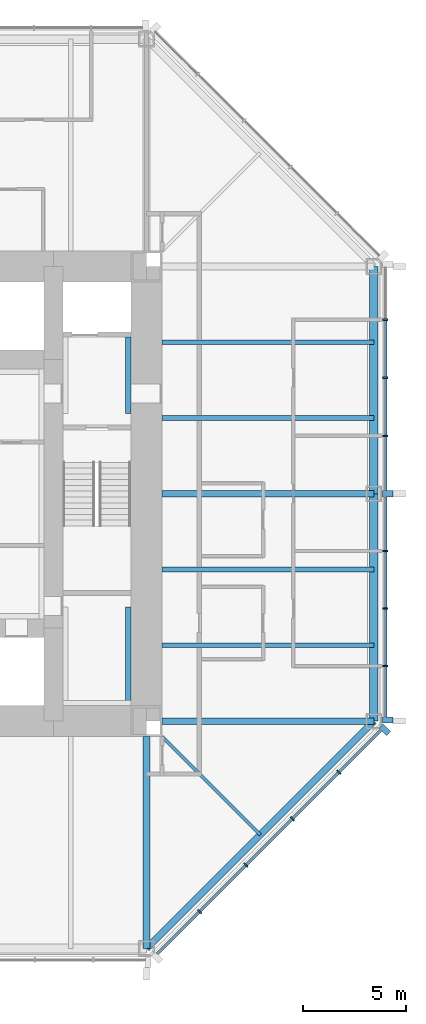
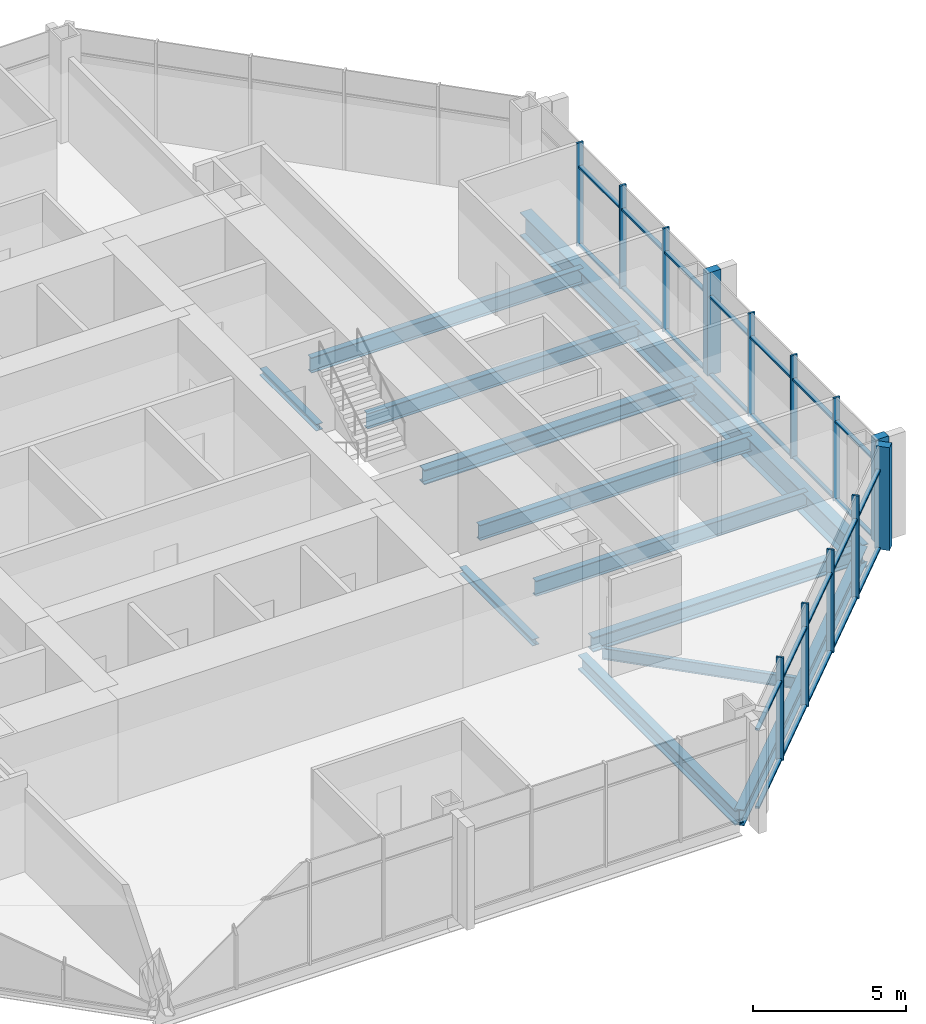
# One storey, part 4 of 12: 37 members, 13 beams, 2 elements without a shape of their own.
"""IFC4 building model written with IfcOpenShell, lengths in metres."""

from ifc_helpers import new_model, si_unit, direction, frame, origin, origin_2d, place, context, subcontext, project, spatial, rectangle, i_section, extrude, material, material_profile, profile_set, type_object, element, aggregate, save


model = new_model("IFC4")

# Units and contexts
model_context = context("Model", 3, precision=1e-05, world=origin(), true_north=direction((0.0, 1.0)))
body_context = subcontext(model_context, "Body", "Model", "MODEL_VIEW")
ifc_project = project(units=[si_unit("LENGTHUNIT", "METRE"), si_unit("AREAUNIT", "SQUARE_METRE"), si_unit("VOLUMEUNIT", "CUBIC_METRE"), si_unit("PLANEANGLEUNIT", "RADIAN"), si_unit("MASSUNIT", "GRAM", prefix="KILO")], contexts=[model_context])

# Site, building, storey
site_placement = place(None, origin())
site = spatial("IfcSite", under=ifc_project, at=site_placement, CompositionType="ELEMENT")
building_placement = place(site_placement, origin())
building = spatial("IfcBuilding", under=site, at=building_placement, Name="Trevanion Tower", CompositionType="ELEMENT")
storey_placement = place(building_placement, frame((0.0, 0.0, 129.5)))
storey = spatial("IfcBuildingStorey", under=building, at=storey_placement, Name="L30", CompositionType="ELEMENT", Elevation=129.5)

# Beams
ifc_material_1 = material(Name="Steel ASTM A992 Grade 50", Category="steel")
ifc_material_profile_1 = material_profile(ifc_material_1, i_section(OverallWidth=0.22900390625, OverallDepth=0.612060546875, WebThickness=0.011962890625, FlangeThickness=0.01953125, at=origin_2d()), Name="W24X84")
ifc_profile_set_1 = profile_set([ifc_material_profile_1], Name="Steel ASTM A992 Grade 50")
beam_type_1 = type_object("IfcBeamType", Name="B7 W24X84", PredefinedType="BEAM", material=ifc_profile_set_1)
for number, where, z_axis, x_axis, name in (
    (1, (11.75, -7.333251953125, -0.49609375), (1.0, 0.0, 0.0), (0.0, 1.0, 0.0), "B7 L30"),
    (2, (11.75, -3.666748046875, -0.49609375), (1.0, 0.0, 0.0), (0.0, 1.0, 0.0), "B7 L30"),
    (3, (11.75, 3.666748046875, -0.49609375), (1.0, 0.0, 0.0), (0.0, 1.0, 0.0), "B7 L30"),
    (4, (11.75, 7.333251953125, -0.49609375), (1.0, 0.0, 0.0), (0.0, 1.0, 0.0), "B7 L30"),
):
    element("IfcBeam", number, at=place(storey_placement, frame(where, z_axis=z_axis, x_axis=x_axis)), inside=storey, type_object=beam_type_1, Name=name, PredefinedType="BEAM", context=body_context, shape_type="SweptSolid", body=[
        extrude(i_section(OverallWidth=0.22900390625, OverallDepth=0.612060546875, WebThickness=0.011962890625, FlangeThickness=0.01953125, at=origin_2d()), origin(), (0.0, 0.0, 1.0), 10.25),
    ])
ifc_material_2 = material(Name="Steel ASTM A992 Grade 50", Category="steel")
ifc_material_profile_2 = material_profile(ifc_material_2, i_section(OverallWidth=0.15234375, OverallDepth=0.449462890625, WebThickness=0.007568359375, FlangeThickness=0.0107421875, at=origin_2d()), Name="W18X35")
ifc_profile_set_2 = profile_set([ifc_material_profile_2], Name="Steel ASTM A992 Grade 50")
beam_type_2 = type_object("IfcBeamType", Name="B8 W18X35", PredefinedType="BEAM", material=ifc_profile_set_2)
beam_1_placement = place(storey_placement, frame((11.75, -11.75, -0.414794921875), z_axis=(0.707106781187, -0.707106781187, 0.0), x_axis=(0.707106781187, 0.707106781187, 0.0)))
element("IfcBeam", 5, at=beam_1_placement, inside=storey, type_object=beam_type_2, Name="B8 L30", PredefinedType="BEAM", context=body_context, shape_type="SweptSolid", body=[
    extrude(i_section(OverallWidth=0.15234375, OverallDepth=0.449462890625, WebThickness=0.007568359375, FlangeThickness=0.0107421875, at=origin_2d()), origin(), (0.0, 0.0, 1.0), 6.717529296875),
])

# Curtain wall, members
ifc_material_3 = material(Name="Aluminium and glass", Category="aluminium")
curtain_wall_type = type_object("IfcCurtainWallType", Name="CW2 curtain wall", PredefinedType="USERDEFINED", material=ifc_material_3)
curtain_wall_1_placement = place(storey_placement, origin())
curtain_wall_1 = element("IfcCurtainWall", 6, at=curtain_wall_1_placement, inside=storey, type_object=curtain_wall_type, Name="CW2 L30 0", ObjectType="UNITISED CURTAIN WALL", PredefinedType="USERDEFINED")
ifc_material_4 = material(Name="Aluminium extrusion, anodised bronze", Category="aluminium")
ifc_material_profile_3 = material_profile(ifc_material_4, rectangle(XDim=0.074951171875, YDim=0.25, at=origin_2d()), Name="CW2 mullion")
ifc_profile_set_3 = profile_set([ifc_material_profile_3], Name="Aluminium extrusion, anodised bronze")
member_type_1 = type_object("IfcMemberType", Name="CW2 mullion", PredefinedType="MULLION", material=ifc_profile_set_3)
member_1_placement = place(storey_placement, frame((22.550048828125, -8.323486328125, -0.18994140625), z_axis=(0.0, 0.0, 1.0), x_axis=(0.0, 1.0, 0.0)))
member_1 = element("IfcMember", 7, at=member_1_placement, type_object=member_type_1, Name="CW2 mullion 2", PredefinedType="MULLION", context=body_context, shape_type="SweptSolid", body=[
    extrude(rectangle(XDim=0.074951171875, YDim=0.25, at=origin_2d()), origin(), (0.0, 0.0, 1.0), 4.099853515625),
])
member_2_placement = place(storey_placement, frame((22.550048828125, -5.548828125, -0.18994140625), z_axis=(0.0, 0.0, 1.0), x_axis=(0.0, 1.0, 0.0)))
member_2 = element("IfcMember", 8, at=member_2_placement, type_object=member_type_1, Name="CW2 mullion 3", PredefinedType="MULLION", context=body_context, shape_type="SweptSolid", body=[
    extrude(rectangle(XDim=0.074951171875, YDim=0.25, at=origin_2d()), origin(), (0.0, 0.0, 1.0), 4.099853515625),
])
member_3_placement = place(storey_placement, frame((22.550048828125, -2.7744140625, -0.18994140625), z_axis=(0.0, 0.0, 1.0), x_axis=(0.0, 1.0, 0.0)))
member_3 = element("IfcMember", 9, at=member_3_placement, type_object=member_type_1, Name="CW2 mullion 4", PredefinedType="MULLION", context=body_context, shape_type="SweptSolid", body=[
    extrude(rectangle(XDim=0.074951171875, YDim=0.25, at=origin_2d()), origin(), (0.0, 0.0, 1.0), 4.099853515625),
])
member_4_placement = place(storey_placement, frame((22.550048828125, 2.806884765625, -0.18994140625), z_axis=(0.0, 0.0, 1.0), x_axis=(0.0, 1.0, 0.0)))
member_4 = element("IfcMember", 10, at=member_4_placement, type_object=member_type_1, Name="CW2 mullion 6", PredefinedType="MULLION", context=body_context, shape_type="SweptSolid", body=[
    extrude(rectangle(XDim=0.074951171875, YDim=0.25, at=origin_2d()), origin(), (0.0, 0.0, 1.0), 4.099853515625),
])
member_5_placement = place(storey_placement, frame((22.550048828125, 5.614013671875, -0.18994140625), z_axis=(0.0, 0.0, 1.0), x_axis=(0.0, 1.0, 0.0)))
member_5 = element("IfcMember", 11, at=member_5_placement, type_object=member_type_1, Name="CW2 mullion 7", PredefinedType="MULLION", context=body_context, shape_type="SweptSolid", body=[
    extrude(rectangle(XDim=0.074951171875, YDim=0.25, at=origin_2d()), origin(), (0.0, 0.0, 1.0), 4.099853515625),
])
member_6_placement = place(storey_placement, frame((22.550048828125, 8.4208984375, -0.18994140625), z_axis=(0.0, 0.0, 1.0), x_axis=(0.0, 1.0, 0.0)))
member_6 = element("IfcMember", 12, at=member_6_placement, type_object=member_type_1, Name="CW2 mullion 8", PredefinedType="MULLION", context=body_context, shape_type="SweptSolid", body=[
    extrude(rectangle(XDim=0.074951171875, YDim=0.25, at=origin_2d()), origin(), (0.0, 0.0, 1.0), 4.099853515625),
])

curtain_wall_2_placement = place(storey_placement, origin())
curtain_wall_2 = element("IfcCurtainWall", 13, at=curtain_wall_2_placement, inside=storey, type_object=curtain_wall_type, Name="CW2 L30 7", ObjectType="UNITISED CURTAIN WALL", PredefinedType="USERDEFINED")
member_7_placement = place(storey_placement, frame((13.56591796875, -20.2119140625, -0.18994140625), z_axis=(0.0, 0.0, 1.0), x_axis=(0.707106781187, 0.707106781187, 0.0)))
member_7 = element("IfcMember", 14, at=member_7_placement, type_object=member_type_1, Name="CW2 mullion 2", PredefinedType="MULLION", context=body_context, shape_type="SweptSolid", body=[
    extrude(rectangle(XDim=0.074951171875, YDim=0.25, at=origin_2d()), origin(), (0.0, 0.0, 1.0), 4.099853515625),
])
member_8_placement = place(storey_placement, frame((15.811767578125, -17.966064453125, -0.18994140625), z_axis=(0.0, 0.0, 1.0), x_axis=(0.707106781187, 0.707106781187, 0.0)))
member_8 = element("IfcMember", 15, at=member_8_placement, type_object=member_type_1, Name="CW2 mullion 3", PredefinedType="MULLION", context=body_context, shape_type="SweptSolid", body=[
    extrude(rectangle(XDim=0.074951171875, YDim=0.25, at=origin_2d()), origin(), (0.0, 0.0, 1.0), 4.099853515625),
])
member_9_placement = place(storey_placement, frame((18.057861328125, -15.719970703125, -0.18994140625), z_axis=(0.0, 0.0, 1.0), x_axis=(0.707106781187, 0.707106781187, 0.0)))
member_9 = element("IfcMember", 16, at=member_9_placement, type_object=member_type_1, Name="CW2 mullion 4", PredefinedType="MULLION", context=body_context, shape_type="SweptSolid", body=[
    extrude(rectangle(XDim=0.074951171875, YDim=0.25, at=origin_2d()), origin(), (0.0, 0.0, 1.0), 4.099853515625),
])
member_10_placement = place(storey_placement, frame((20.303955078125, -13.473876953125, -0.18994140625), z_axis=(0.0, 0.0, 1.0), x_axis=(0.707106781187, 0.707106781187, 0.0)))
member_10 = element("IfcMember", 17, at=member_10_placement, type_object=member_type_1, Name="CW2 mullion 5", PredefinedType="MULLION", context=body_context, shape_type="SweptSolid", body=[
    extrude(rectangle(XDim=0.074951171875, YDim=0.25, at=origin_2d()), origin(), (0.0, 0.0, 1.0), 4.099853515625),
])

# Member
ifc_material_5 = material(Name="Aluminium extrusion, anodised bronze", Category="aluminium")
ifc_material_profile_4 = material_profile(ifc_material_5, rectangle(XDim=0.300048828125, YDim=0.5, at=origin_2d()), Name="CW2 pier mullion")
ifc_profile_set_4 = profile_set([ifc_material_profile_4], Name="Aluminium extrusion, anodised bronze")
member_type_2 = type_object("IfcMemberType", Name="CW2 pier mullion", PredefinedType="MULLION", material=ifc_profile_set_4)
member_11_placement = place(storey_placement, frame((22.675048828125, -10.94775390625, -0.18994140625), z_axis=(0.0, 0.0, 1.0), x_axis=(0.0, 1.0, 0.0)))
member_11 = element("IfcMember", 18, at=member_11_placement, type_object=member_type_2, Name="CW2 pier mullion 1", PredefinedType="MULLION", context=body_context, shape_type="SweptSolid", body=[
    extrude(rectangle(XDim=0.300048828125, YDim=0.5, at=origin_2d()), origin(), (0.0, 0.0, 1.0), 4.099853515625),
])

member_12_placement = place(storey_placement, frame((22.675048828125, 0.0, -0.18994140625), z_axis=(0.0, 0.0, 1.0), x_axis=(0.0, 1.0, 0.0)))
member_12 = element("IfcMember", 19, at=member_12_placement, type_object=member_type_2, Name="CW2 pier mullion 5", PredefinedType="MULLION", context=body_context, shape_type="SweptSolid", body=[
    extrude(rectangle(XDim=0.300048828125, YDim=0.5, at=origin_2d()), origin(), (0.0, 0.0, 1.0), 4.099853515625),
])

member_13_placement = place(storey_placement, frame((22.5322265625, -11.42236328125, -0.18994140625), z_axis=(0.0, 0.0, 1.0), x_axis=(0.707106781187, 0.707106781187, 0.0)))
member_13 = element("IfcMember", 20, at=member_13_placement, type_object=member_type_2, Name="CW2 pier mullion 6", PredefinedType="MULLION", context=body_context, shape_type="SweptSolid", body=[
    extrude(rectangle(XDim=0.300048828125, YDim=0.5, at=origin_2d()), origin(), (0.0, 0.0, 1.0), 4.099853515625),
])

ifc_material_6 = material(Name="Aluminium extrusion, anodised bronze", Category="aluminium")
ifc_material_profile_5 = material_profile(ifc_material_6, rectangle(XDim=0.14990234375, YDim=0.074951171875, at=origin_2d()), Name="CW2 transom")
ifc_profile_set_5 = profile_set([ifc_material_profile_5], Name="Aluminium extrusion, anodised bronze")
member_type_3 = type_object("IfcMemberType", Name="CW2 transom", PredefinedType="USERDEFINED", material=ifc_profile_set_5)
member_14_placement = place(storey_placement, frame((22.550048828125, -10.7978515625, -0.152587890625), z_axis=(0.0, 1.0, 0.0), x_axis=(-1.0, 0.0, 0.0)))
member_14 = element("IfcMember", 21, at=member_14_placement, type_object=member_type_3, Name="CW2 transom 1.1", ObjectType="TRANSOM", PredefinedType="USERDEFINED", context=body_context, shape_type="SweptSolid", body=[
    extrude(rectangle(XDim=0.14990234375, YDim=0.074951171875, at=origin_2d()), origin(), (0.0, 0.0, 1.0), 2.43701171875),
])

member_15_placement = place(storey_placement, frame((22.550048828125, -10.7978515625, 2.9599609375), z_axis=(0.0, 1.0, 0.0), x_axis=(-1.0, 0.0, 0.0)))
member_15 = element("IfcMember", 22, at=member_15_placement, type_object=member_type_3, Name="CW2 transom 1.2", ObjectType="TRANSOM", PredefinedType="USERDEFINED", context=body_context, shape_type="SweptSolid", body=[
    extrude(rectangle(XDim=0.14990234375, YDim=0.074951171875, at=origin_2d()), origin(), (0.0, 0.0, 1.0), 2.43701171875),
])

member_16_placement = place(storey_placement, frame((22.550048828125, -8.285888671875, -0.152587890625), z_axis=(0.0, 1.0, 0.0), x_axis=(-1.0, 0.0, 0.0)))
member_16 = element("IfcMember", 23, at=member_16_placement, type_object=member_type_3, Name="CW2 transom 2.1", ObjectType="TRANSOM", PredefinedType="USERDEFINED", context=body_context, shape_type="SweptSolid", body=[
    extrude(rectangle(XDim=0.14990234375, YDim=0.074951171875, at=origin_2d()), origin(), (0.0, 0.0, 1.0), 2.699462890625),
])

member_17_placement = place(storey_placement, frame((22.550048828125, -8.285888671875, 2.9599609375), z_axis=(0.0, 1.0, 0.0), x_axis=(-1.0, 0.0, 0.0)))
member_17 = element("IfcMember", 24, at=member_17_placement, type_object=member_type_3, Name="CW2 transom 2.2", ObjectType="TRANSOM", PredefinedType="USERDEFINED", context=body_context, shape_type="SweptSolid", body=[
    extrude(rectangle(XDim=0.14990234375, YDim=0.074951171875, at=origin_2d()), origin(), (0.0, 0.0, 1.0), 2.699462890625),
])

member_18_placement = place(storey_placement, frame((22.550048828125, -5.511474609375, -0.152587890625), z_axis=(0.0, 1.0, 0.0), x_axis=(-1.0, 0.0, 0.0)))
member_18 = element("IfcMember", 25, at=member_18_placement, type_object=member_type_3, Name="CW2 transom 3.1", ObjectType="TRANSOM", PredefinedType="USERDEFINED", context=body_context, shape_type="SweptSolid", body=[
    extrude(rectangle(XDim=0.14990234375, YDim=0.074951171875, at=origin_2d()), origin(), (0.0, 0.0, 1.0), 2.699462890625),
])

member_19_placement = place(storey_placement, frame((22.550048828125, -5.511474609375, 2.9599609375), z_axis=(0.0, 1.0, 0.0), x_axis=(-1.0, 0.0, 0.0)))
member_19 = element("IfcMember", 26, at=member_19_placement, type_object=member_type_3, Name="CW2 transom 3.2", ObjectType="TRANSOM", PredefinedType="USERDEFINED", context=body_context, shape_type="SweptSolid", body=[
    extrude(rectangle(XDim=0.14990234375, YDim=0.074951171875, at=origin_2d()), origin(), (0.0, 0.0, 1.0), 2.699462890625),
])

member_20_placement = place(storey_placement, frame((22.550048828125, -2.737060546875, -0.152587890625), z_axis=(0.0, 1.0, 0.0), x_axis=(-1.0, 0.0, 0.0)))
member_20 = element("IfcMember", 27, at=member_20_placement, type_object=member_type_3, Name="CW2 transom 4.1", ObjectType="TRANSOM", PredefinedType="USERDEFINED", context=body_context, shape_type="SweptSolid", body=[
    extrude(rectangle(XDim=0.14990234375, YDim=0.074951171875, at=origin_2d()), origin(), (0.0, 0.0, 1.0), 2.587158203125),
])

member_21_placement = place(storey_placement, frame((22.550048828125, -2.737060546875, 2.9599609375), z_axis=(0.0, 1.0, 0.0), x_axis=(-1.0, 0.0, 0.0)))
member_21 = element("IfcMember", 28, at=member_21_placement, type_object=member_type_3, Name="CW2 transom 4.2", ObjectType="TRANSOM", PredefinedType="USERDEFINED", context=body_context, shape_type="SweptSolid", body=[
    extrude(rectangle(XDim=0.14990234375, YDim=0.074951171875, at=origin_2d()), origin(), (0.0, 0.0, 1.0), 2.587158203125),
])

member_22_placement = place(storey_placement, frame((22.550048828125, 0.14990234375, -0.152587890625), z_axis=(0.0, 1.0, 0.0), x_axis=(-1.0, 0.0, 0.0)))
member_22 = element("IfcMember", 29, at=member_22_placement, type_object=member_type_3, Name="CW2 transom 5.1", ObjectType="TRANSOM", PredefinedType="USERDEFINED", context=body_context, shape_type="SweptSolid", body=[
    extrude(rectangle(XDim=0.14990234375, YDim=0.074951171875, at=origin_2d()), origin(), (0.0, 0.0, 1.0), 2.619384765625),
])

member_23_placement = place(storey_placement, frame((22.550048828125, 0.14990234375, 2.9599609375), z_axis=(0.0, 1.0, 0.0), x_axis=(-1.0, 0.0, 0.0)))
member_23 = element("IfcMember", 30, at=member_23_placement, type_object=member_type_3, Name="CW2 transom 5.2", ObjectType="TRANSOM", PredefinedType="USERDEFINED", context=body_context, shape_type="SweptSolid", body=[
    extrude(rectangle(XDim=0.14990234375, YDim=0.074951171875, at=origin_2d()), origin(), (0.0, 0.0, 1.0), 2.619384765625),
])

member_24_placement = place(storey_placement, frame((22.550048828125, 2.844482421875, -0.152587890625), z_axis=(0.0, 1.0, 0.0), x_axis=(-1.0, 0.0, 0.0)))
member_24 = element("IfcMember", 31, at=member_24_placement, type_object=member_type_3, Name="CW2 transom 6.1", ObjectType="TRANSOM", PredefinedType="USERDEFINED", context=body_context, shape_type="SweptSolid", body=[
    extrude(rectangle(XDim=0.14990234375, YDim=0.074951171875, at=origin_2d()), origin(), (0.0, 0.0, 1.0), 2.73193359375),
])

member_25_placement = place(storey_placement, frame((22.550048828125, 2.844482421875, 2.9599609375), z_axis=(0.0, 1.0, 0.0), x_axis=(-1.0, 0.0, 0.0)))
member_25 = element("IfcMember", 32, at=member_25_placement, type_object=member_type_3, Name="CW2 transom 6.2", ObjectType="TRANSOM", PredefinedType="USERDEFINED", context=body_context, shape_type="SweptSolid", body=[
    extrude(rectangle(XDim=0.14990234375, YDim=0.074951171875, at=origin_2d()), origin(), (0.0, 0.0, 1.0), 2.73193359375),
])

member_26_placement = place(storey_placement, frame((22.550048828125, 5.6513671875, -0.152587890625), z_axis=(0.0, 1.0, 0.0), x_axis=(-1.0, 0.0, 0.0)))
member_26 = element("IfcMember", 33, at=member_26_placement, type_object=member_type_3, Name="CW2 transom 7.1", ObjectType="TRANSOM", PredefinedType="USERDEFINED", context=body_context, shape_type="SweptSolid", body=[
    extrude(rectangle(XDim=0.14990234375, YDim=0.074951171875, at=origin_2d()), origin(), (0.0, 0.0, 1.0), 2.73193359375),
])

member_27_placement = place(storey_placement, frame((22.550048828125, 5.6513671875, 2.9599609375), z_axis=(0.0, 1.0, 0.0), x_axis=(-1.0, 0.0, 0.0)))
member_27 = element("IfcMember", 34, at=member_27_placement, type_object=member_type_3, Name="CW2 transom 7.2", ObjectType="TRANSOM", PredefinedType="USERDEFINED", context=body_context, shape_type="SweptSolid", body=[
    extrude(rectangle(XDim=0.14990234375, YDim=0.074951171875, at=origin_2d()), origin(), (0.0, 0.0, 1.0), 2.73193359375),
])

aggregate(curtain_wall_1, [member_11, member_1, member_2, member_3, member_12, member_4, member_5, member_6, member_14, member_15, member_16, member_17, member_18, member_19, member_20, member_21, member_22, member_23, member_24, member_25, member_26, member_27])

member_28_placement = place(storey_placement, frame((11.531982421875, -22.245849609375, -0.152587890625), z_axis=(0.707106781187, 0.707106781187, 0.0), x_axis=(-0.707106781187, 0.707106781187, 0.0)))
member_28 = element("IfcMember", 35, at=member_28_placement, type_object=member_type_3, Name="CW2 transom 1.1", ObjectType="TRANSOM", PredefinedType="USERDEFINED", context=body_context, shape_type="SweptSolid", body=[
    extrude(rectangle(XDim=0.14990234375, YDim=0.074951171875, at=origin_2d()), origin(), (0.0, 0.0, 1.0), 2.8388671875),
])

member_29_placement = place(storey_placement, frame((11.531982421875, -22.245849609375, 2.9599609375), z_axis=(0.707106781187, 0.707106781187, 0.0), x_axis=(-0.707106781187, 0.707106781187, 0.0)))
member_29 = element("IfcMember", 36, at=member_29_placement, type_object=member_type_3, Name="CW2 transom 1.2", ObjectType="TRANSOM", PredefinedType="USERDEFINED", context=body_context, shape_type="SweptSolid", body=[
    extrude(rectangle(XDim=0.14990234375, YDim=0.074951171875, at=origin_2d()), origin(), (0.0, 0.0, 1.0), 2.8388671875),
])

member_30_placement = place(storey_placement, frame((13.59228515625, -20.185546875, -0.152587890625), z_axis=(0.707106781187, 0.707106781187, 0.0), x_axis=(-0.707106781187, 0.707106781187, 0.0)))
member_30 = element("IfcMember", 37, at=member_30_placement, type_object=member_type_3, Name="CW2 transom 2.1", ObjectType="TRANSOM", PredefinedType="USERDEFINED", context=body_context, shape_type="SweptSolid", body=[
    extrude(rectangle(XDim=0.14990234375, YDim=0.074951171875, at=origin_2d()), origin(), (0.0, 0.0, 1.0), 3.1015625),
])

member_31_placement = place(storey_placement, frame((13.59228515625, -20.185546875, 2.9599609375), z_axis=(0.707106781187, 0.707106781187, 0.0), x_axis=(-0.707106781187, 0.707106781187, 0.0)))
member_31 = element("IfcMember", 38, at=member_31_placement, type_object=member_type_3, Name="CW2 transom 2.2", ObjectType="TRANSOM", PredefinedType="USERDEFINED", context=body_context, shape_type="SweptSolid", body=[
    extrude(rectangle(XDim=0.14990234375, YDim=0.074951171875, at=origin_2d()), origin(), (0.0, 0.0, 1.0), 3.1015625),
])

member_32_placement = place(storey_placement, frame((15.83837890625, -17.939453125, -0.152587890625), z_axis=(0.707106781187, 0.707106781187, 0.0), x_axis=(-0.707106781187, 0.707106781187, 0.0)))
member_32 = element("IfcMember", 39, at=member_32_placement, type_object=member_type_3, Name="CW2 transom 3.1", ObjectType="TRANSOM", PredefinedType="USERDEFINED", context=body_context, shape_type="SweptSolid", body=[
    extrude(rectangle(XDim=0.14990234375, YDim=0.074951171875, at=origin_2d()), origin(), (0.0, 0.0, 1.0), 3.1015625),
])

member_33_placement = place(storey_placement, frame((15.83837890625, -17.939453125, 2.9599609375), z_axis=(0.707106781187, 0.707106781187, 0.0), x_axis=(-0.707106781187, 0.707106781187, 0.0)))
member_33 = element("IfcMember", 40, at=member_33_placement, type_object=member_type_3, Name="CW2 transom 3.2", ObjectType="TRANSOM", PredefinedType="USERDEFINED", context=body_context, shape_type="SweptSolid", body=[
    extrude(rectangle(XDim=0.14990234375, YDim=0.074951171875, at=origin_2d()), origin(), (0.0, 0.0, 1.0), 3.1015625),
])

member_34_placement = place(storey_placement, frame((18.08447265625, -15.693359375, -0.152587890625), z_axis=(0.707106781187, 0.707106781187, 0.0), x_axis=(-0.707106781187, 0.707106781187, 0.0)))
member_34 = element("IfcMember", 41, at=member_34_placement, type_object=member_type_3, Name="CW2 transom 4.1", ObjectType="TRANSOM", PredefinedType="USERDEFINED", context=body_context, shape_type="SweptSolid", body=[
    extrude(rectangle(XDim=0.14990234375, YDim=0.074951171875, at=origin_2d()), origin(), (0.0, 0.0, 1.0), 3.10107421875),
])

member_35_placement = place(storey_placement, frame((18.08447265625, -15.693359375, 2.9599609375), z_axis=(0.707106781187, 0.707106781187, 0.0), x_axis=(-0.707106781187, 0.707106781187, 0.0)))
member_35 = element("IfcMember", 42, at=member_35_placement, type_object=member_type_3, Name="CW2 transom 4.2", ObjectType="TRANSOM", PredefinedType="USERDEFINED", context=body_context, shape_type="SweptSolid", body=[
    extrude(rectangle(XDim=0.14990234375, YDim=0.074951171875, at=origin_2d()), origin(), (0.0, 0.0, 1.0), 3.10107421875),
])

member_36_placement = place(storey_placement, frame((20.33056640625, -13.447509765625, -0.152587890625), z_axis=(0.707063781595, 0.707149778163, 0.0), x_axis=(-0.707149778163, 0.707063781595, 0.0)))
member_36 = element("IfcMember", 43, at=member_36_placement, type_object=member_type_3, Name="CW2 transom 5.1", ObjectType="TRANSOM", PredefinedType="USERDEFINED", context=body_context, shape_type="SweptSolid", body=[
    extrude(rectangle(XDim=0.14990234375, YDim=0.074951171875, at=origin_2d()), origin(), (0.0, 0.0, 1.0), 2.8388671875),
])

member_37_placement = place(storey_placement, frame((20.33056640625, -13.447509765625, 2.9599609375), z_axis=(0.707063781595, 0.707149778163, 0.0), x_axis=(-0.707149778163, 0.707063781595, 0.0)))
member_37 = element("IfcMember", 44, at=member_37_placement, type_object=member_type_3, Name="CW2 transom 5.2", ObjectType="TRANSOM", PredefinedType="USERDEFINED", context=body_context, shape_type="SweptSolid", body=[
    extrude(rectangle(XDim=0.14990234375, YDim=0.074951171875, at=origin_2d()), origin(), (0.0, 0.0, 1.0), 2.8388671875),
])

aggregate(curtain_wall_2, [member_7, member_8, member_9, member_10, member_13, member_28, member_29, member_30, member_31, member_32, member_33, member_34, member_35, member_36, member_37])

# Beams
ifc_material_7 = material(Name="Steel ASTM A992 Grade 50", Category="steel")
ifc_material_profile_6 = material_profile(ifc_material_7, i_section(OverallWidth=0.320068359375, OverallDepth=0.584228515625, WebThickness=0.023193359375, FlangeThickness=0.04150390625, at=origin_2d()), Name="W21X201")
ifc_profile_set_6 = profile_set([ifc_material_profile_6], Name="Steel ASTM A992 Grade 50")
beam_type_3 = type_object("IfcBeamType", Name="G4 W21X201", PredefinedType="BEAM", material=ifc_profile_set_6)
for number, where, z_axis, x_axis, name in (
    (45, (11.75, -11.0, -0.482177734375), (1.0, 0.0, 0.0), (0.0, 1.0, 0.0), "G4 L30"),
    (46, (11.75, 0.0, -0.482177734375), (1.0, 0.0, 0.0), (0.0, 1.0, 0.0), "G4 L30"),
    (47, (11.0, -11.75, -0.482177734375), (0.0, -1.0, 0.0), (1.0, 0.0, 0.0), "G4 L30"),
):
    element("IfcBeam", number, at=place(storey_placement, frame(where, z_axis=z_axis, x_axis=x_axis)), inside=storey, type_object=beam_type_3, Name=name, PredefinedType="BEAM", context=body_context, shape_type="SweptSolid", body=[
        extrude(i_section(OverallWidth=0.320068359375, OverallDepth=0.584228515625, WebThickness=0.023193359375, FlangeThickness=0.04150390625, at=origin_2d()), origin(), (0.0, 0.0, 1.0), 10.25),
    ])
ifc_material_8 = material(Name="Steel ASTM A992 Grade 50", Category="steel")
ifc_material_profile_7 = material_profile(ifc_material_8, i_section(OverallWidth=0.256591796875, OverallDepth=0.26416015625, WebThickness=0.011962890625, FlangeThickness=0.01953125, at=origin_2d()), Name="W10X68")
ifc_profile_set_7 = profile_set([ifc_material_profile_7], Name="Steel ASTM A992 Grade 50")
beam_type_4 = type_object("IfcBeamType", Name="LB1 W10X68", PredefinedType="BEAM", material=ifc_profile_set_7)
beam_2_placement = place(storey_placement, frame((10.12158203125, 3.875, -0.33203125), z_axis=(0.0, 1.0, 0.0), x_axis=(-1.0, 0.0, 0.0)))
element("IfcBeam", 48, at=beam_2_placement, inside=storey, type_object=beam_type_4, Name="LB1 L30", PredefinedType="BEAM", context=body_context, shape_type="SweptSolid", body=[
    extrude(i_section(OverallWidth=0.256591796875, OverallDepth=0.26416015625, WebThickness=0.011962890625, FlangeThickness=0.01953125, at=origin_2d()), origin(), (0.0, 0.0, 1.0), 3.699951171875),
])
beam_3_placement = place(storey_placement, frame((10.12158203125, -10.25, -0.33203125), z_axis=(0.0, 1.0, 0.0), x_axis=(-1.0, 0.0, 0.0)))
element("IfcBeam", 49, at=beam_3_placement, inside=storey, type_object=beam_type_4, Name="LB1 L30", PredefinedType="BEAM", context=body_context, shape_type="SweptSolid", body=[
    extrude(i_section(OverallWidth=0.256591796875, OverallDepth=0.26416015625, WebThickness=0.011962890625, FlangeThickness=0.01953125, at=origin_2d()), origin(), (0.0, 0.0, 1.0), 4.77490234375),
])
ifc_material_9 = material(Name="Steel ASTM A992 Grade 50", Category="steel")
ifc_material_profile_8 = material_profile(ifc_material_9, i_section(OverallWidth=0.419189453125, OverallDepth=0.927001953125, WebThickness=0.019287109375, FlangeThickness=0.031982421875, at=origin_2d()), Name="W36X231")
ifc_profile_set_8 = profile_set([ifc_material_profile_8], Name="Steel ASTM A992 Grade 50")
beam_type_5 = type_object("IfcBeamType", Name="SB4 W36X231", PredefinedType="SPANDREL", material=ifc_profile_set_8)
for number, where, z_axis, x_axis, name in (
    (50, (22.0, -11.0, -0.653564453125), (0.0, 1.0, 0.0), (-1.0, 0.0, 0.0), "SB4 L30"),
    (51, (22.0, 0.0, -0.653564453125), (0.0, 1.0, 0.0), (-1.0, 0.0, 0.0), "SB4 L30"),
):
    element("IfcBeam", number, at=place(storey_placement, frame(where, z_axis=z_axis, x_axis=x_axis)), inside=storey, type_object=beam_type_5, Name=name, PredefinedType="SPANDREL", context=body_context, shape_type="SweptSolid", body=[
        extrude(i_section(OverallWidth=0.419189453125, OverallDepth=0.927001953125, WebThickness=0.019287109375, FlangeThickness=0.031982421875, at=origin_2d()), origin(), (0.0, 0.0, 1.0), 11.0),
    ])
ifc_material_10 = material(Name="Steel ASTM A992 Grade 50", Category="steel")
ifc_material_profile_9 = material_profile(ifc_material_10, i_section(OverallWidth=0.32763671875, OverallDepth=0.62744140625, WebThickness=0.0166015625, FlangeThickness=0.027587890625, at=origin_2d()), Name="W24X146")
ifc_profile_set_9 = profile_set([ifc_material_profile_9], Name="Steel ASTM A992 Grade 50")
beam_type_6 = type_object("IfcBeamType", Name="SB5 W24X146", PredefinedType="SPANDREL", material=ifc_profile_set_9)
beam_4_placement = place(storey_placement, frame((11.0, -22.0, -0.503662109375), z_axis=(0.707106781187, 0.707106781187, 0.0), x_axis=(-0.707106781187, 0.707106781187, 0.0)))
element("IfcBeam", 52, at=beam_4_placement, inside=storey, type_object=beam_type_6, Name="SB5 L30", PredefinedType="SPANDREL", context=body_context, shape_type="SweptSolid", body=[
    extrude(i_section(OverallWidth=0.32763671875, OverallDepth=0.62744140625, WebThickness=0.0166015625, FlangeThickness=0.027587890625, at=origin_2d()), origin(), (0.0, 0.0, 1.0), 15.556396484375),
])

save(model, "model.ifc")
